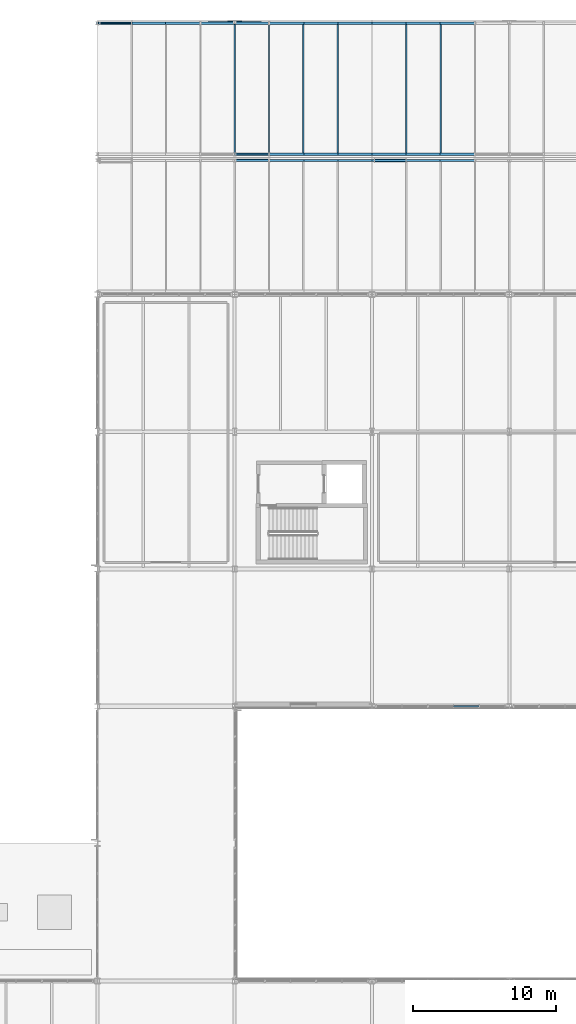
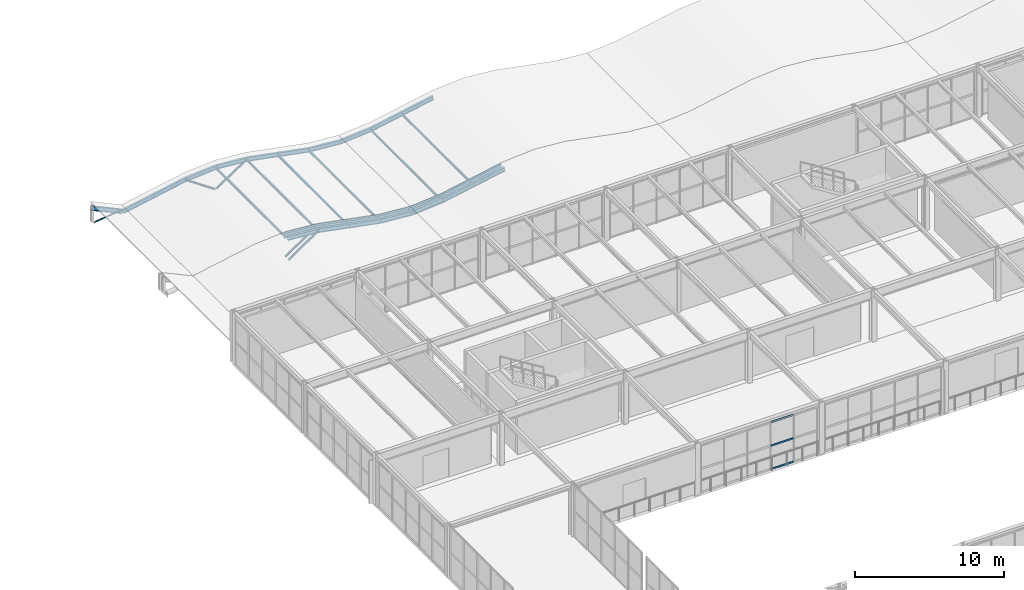
# One storey, part 93 of 170: 25 beams, 15 members, 1 element without a shape of its own.
"""IFC4 building model written with IfcOpenShell, lengths in metres."""

from ifc_helpers import new_model, si_unit, direction, frame, origin, origin_2d, place, context, subcontext, project, spatial, hollow_rectangle, hollow_circle, i_section, extrude, material, material_profile, profile_set, type_object, element, aggregate, save


model = new_model("IFC4")

# Units and contexts
model_context = context("Model", 3, precision=1e-05, world=origin(), true_north=direction((0.0, 1.0)))
body_context = subcontext(model_context, "Body", "Model", "MODEL_VIEW")
ifc_project = project(units=[si_unit("LENGTHUNIT", "METRE"), si_unit("AREAUNIT", "SQUARE_METRE"), si_unit("VOLUMEUNIT", "CUBIC_METRE"), si_unit("PLANEANGLEUNIT", "RADIAN"), si_unit("MASSUNIT", "GRAM", prefix="KILO")], contexts=[model_context])

# Site, building, storey
site_placement = place(None, origin())
site = spatial("IfcSite", under=ifc_project, at=site_placement, CompositionType="ELEMENT")
building_placement = place(site_placement, origin())
building = spatial("IfcBuilding", under=site, at=building_placement, Name="Coralgate Yard Interchange", CompositionType="ELEMENT")
storey_placement = place(building_placement, frame((0.0, 0.0, 6.0)))
storey = spatial("IfcBuildingStorey", under=building, at=storey_placement, Name="L01", CompositionType="ELEMENT", Elevation=6.0)

# Beams
ifc_material_1 = material(Name="Off-white architectural structural steel S355J2", Category="steel")
ifc_material_profile_1 = material_profile(ifc_material_1, i_section(OverallWidth=0.179931640625, OverallDepth=0.39990234375, WebThickness=0.008544921875, FlangeThickness=0.013427734375, FilletRadius=0.02099609375, at=origin_2d()), Name="IPE 400")
ifc_profile_set_1 = profile_set([ifc_material_profile_1], Name="Off-white architectural structural steel S355J2")
beam_type_1 = type_object("IfcBeamType", Name="BM-WR-1", PredefinedType="BEAM", material=ifc_profile_set_1)
beam_1_placement = place(storey_placement, frame((48.0, 105.820068359375, 1.10009765625), z_axis=(0.996866661985, 0.0, -0.079100304817), x_axis=(0.0, 1.0, 0.0)))
element("IfcBeam", 1, at=beam_1_placement, inside=storey, type_object=beam_type_1, Name="Wave-shell steel arch rib R2-W1-S5", PredefinedType="BEAM", context=body_context, shape_type="SweptSolid", body=[
    extrude(i_section(OverallWidth=0.179931640625, OverallDepth=0.39990234375, WebThickness=0.008544921875, FlangeThickness=0.013427734375, FilletRadius=0.02099609375, at=origin_2d()), origin(), (0.0, 0.0, 1.0), 2.407470703125),
])
beam_2_placement = place(storey_placement, frame((50.39990234375, 105.820068359375, 0.90966796875), z_axis=(0.982146552954, 0.0, -0.188117379637), x_axis=(0.0, 1.0, 0.0)))
element("IfcBeam", 2, at=beam_2_placement, inside=storey, type_object=beam_type_1, Name="Wave-shell steel arch rib R2-W1-S6", PredefinedType="BEAM", context=body_context, shape_type="SweptSolid", body=[
    extrude(i_section(OverallWidth=0.179931640625, OverallDepth=0.39990234375, WebThickness=0.008544921875, FlangeThickness=0.013427734375, FilletRadius=0.02099609375, at=origin_2d()), origin(), (0.0, 0.0, 1.0), 2.44384765625),
])
beam_3_placement = place(storey_placement, frame((52.800048828125, 105.820068359375, 0.449951171875), z_axis=(0.98216147419, 0.0, -0.188039460267), x_axis=(0.0, 1.0, 0.0)))
element("IfcBeam", 3, at=beam_3_placement, inside=storey, type_object=beam_type_1, Name="Wave-shell steel arch rib R2-W1-S7", PredefinedType="BEAM", context=body_context, shape_type="SweptSolid", body=[
    extrude(i_section(OverallWidth=0.179931640625, OverallDepth=0.39990234375, WebThickness=0.008544921875, FlangeThickness=0.013427734375, FilletRadius=0.02099609375, at=origin_2d()), origin(), (0.0, 0.0, 1.0), 2.443603515625),
])
beam_4_placement = place(storey_placement, frame((55.199951171875, 105.820068359375, -0.009521484375), z_axis=(0.996867296401, 0.0, -0.079092309144), x_axis=(0.0, 1.0, 0.0)))
element("IfcBeam", 4, at=beam_4_placement, inside=storey, type_object=beam_type_1, Name="Wave-shell steel arch rib R2-W1-S8", PredefinedType="BEAM", context=body_context, shape_type="SweptSolid", body=[
    extrude(i_section(OverallWidth=0.179931640625, OverallDepth=0.39990234375, WebThickness=0.008544921875, FlangeThickness=0.013427734375, FilletRadius=0.02099609375, at=origin_2d()), origin(), (0.0, 0.0, 1.0), 2.40771484375),
])
beam_5_placement = place(storey_placement, frame((57.60009765625, 105.820068359375, -0.199951171875), z_axis=(0.996866661985, 0.0, 0.079100304817), x_axis=(0.0, 1.0, 0.0)))
element("IfcBeam", 5, at=beam_5_placement, inside=storey, type_object=beam_type_1, Name="Wave-shell steel arch rib R2-W2-S1", PredefinedType="BEAM", context=body_context, shape_type="SweptSolid", body=[
    extrude(i_section(OverallWidth=0.179931640625, OverallDepth=0.39990234375, WebThickness=0.008544921875, FlangeThickness=0.013427734375, FilletRadius=0.02099609375, at=origin_2d()), origin(), (0.0, 0.0, 1.0), 2.407470703125),
])
beam_6_placement = place(storey_placement, frame((60.0, 105.820068359375, -0.009521484375), z_axis=(0.98216147419, 0.0, 0.188039460267), x_axis=(0.0, 1.0, 0.0)))
element("IfcBeam", 6, at=beam_6_placement, inside=storey, type_object=beam_type_1, Name="Wave-shell steel arch rib R2-W2-S2", PredefinedType="BEAM", context=body_context, shape_type="SweptSolid", body=[
    extrude(i_section(OverallWidth=0.179931640625, OverallDepth=0.39990234375, WebThickness=0.008544921875, FlangeThickness=0.013427734375, FilletRadius=0.02099609375, at=origin_2d()), origin(), (0.0, 0.0, 1.0), 2.443603515625),
])
beam_7_placement = place(storey_placement, frame((62.39990234375, 105.820068359375, 0.449951171875), z_axis=(0.982146552954, 0.0, 0.188117379637), x_axis=(0.0, 1.0, 0.0)))
element("IfcBeam", 7, at=beam_7_placement, inside=storey, type_object=beam_type_1, Name="Wave-shell steel arch rib R2-W2-S3", PredefinedType="BEAM", context=body_context, shape_type="SweptSolid", body=[
    extrude(i_section(OverallWidth=0.179931640625, OverallDepth=0.39990234375, WebThickness=0.008544921875, FlangeThickness=0.013427734375, FilletRadius=0.02099609375, at=origin_2d()), origin(), (0.0, 0.0, 1.0), 2.44384765625),
])
ifc_material_profile_2 = material_profile(ifc_material_1, i_section(OverallWidth=0.159912109375, OverallDepth=0.330078125, WebThickness=0.007568359375, FlangeThickness=0.011474609375, FilletRadius=0.01806640625, at=origin_2d()), Name="IPE 330")
ifc_profile_set_2 = profile_set([ifc_material_profile_2], Name="Off-white architectural structural steel S355J2")
beam_type_2 = type_object("IfcBeamType", Name="BM-WR-2", PredefinedType="BEAM", material=ifc_profile_set_2)
beam_8_placement = place(storey_placement, frame((48.0, 105.3798828125, 1.135009765625), z_axis=(0.996866661985, 0.0, -0.079100304817), x_axis=(0.0, 1.0, 0.0)))
element("IfcBeam", 8, at=beam_8_placement, inside=storey, type_object=beam_type_2, Name="Wave-shell steel arch rib R1-W1-N5", PredefinedType="BEAM", context=body_context, shape_type="SweptSolid", body=[
    extrude(i_section(OverallWidth=0.159912109375, OverallDepth=0.330078125, WebThickness=0.007568359375, FlangeThickness=0.011474609375, FilletRadius=0.01806640625, at=origin_2d()), origin(), (0.0, 0.0, 1.0), 2.407470703125),
])
beam_9_placement = place(storey_placement, frame((50.39990234375, 105.3798828125, 0.944580078125), z_axis=(0.982165006537, 0.0, -0.188021009287), x_axis=(0.0, 1.0, 0.0)))
element("IfcBeam", 9, at=beam_9_placement, inside=storey, type_object=beam_type_2, Name="Wave-shell steel arch rib R1-W1-N6", PredefinedType="BEAM", context=body_context, shape_type="SweptSolid", body=[
    extrude(i_section(OverallWidth=0.159912109375, OverallDepth=0.330078125, WebThickness=0.007568359375, FlangeThickness=0.011474609375, FilletRadius=0.01806640625, at=origin_2d()), origin(), (0.0, 0.0, 1.0), 2.44384765625),
])
beam_10_placement = place(storey_placement, frame((52.800048828125, 105.3798828125, 0.485107421875), z_axis=(0.98214301705, 0.0, -0.18813583938), x_axis=(0.0, 1.0, 0.0)))
element("IfcBeam", 10, at=beam_10_placement, inside=storey, type_object=beam_type_2, Name="Wave-shell steel arch rib R1-W1-N7", PredefinedType="BEAM", context=body_context, shape_type="SweptSolid", body=[
    extrude(i_section(OverallWidth=0.159912109375, OverallDepth=0.330078125, WebThickness=0.007568359375, FlangeThickness=0.011474609375, FilletRadius=0.01806640625, at=origin_2d()), origin(), (0.0, 0.0, 1.0), 2.443603515625),
])
beam_11_placement = place(storey_placement, frame((55.199951171875, 105.3798828125, 0.025390625), z_axis=(0.996867296401, 0.0, -0.079092309144), x_axis=(0.0, 1.0, 0.0)))
element("IfcBeam", 11, at=beam_11_placement, inside=storey, type_object=beam_type_2, Name="Wave-shell steel arch rib R1-W1-N8", PredefinedType="BEAM", context=body_context, shape_type="SweptSolid", body=[
    extrude(i_section(OverallWidth=0.159912109375, OverallDepth=0.330078125, WebThickness=0.007568359375, FlangeThickness=0.011474609375, FilletRadius=0.01806640625, at=origin_2d()), origin(), (0.0, 0.0, 1.0), 2.40771484375),
])
beam_12_placement = place(storey_placement, frame((57.60009765625, 105.3798828125, -0.1650390625), z_axis=(0.996866661985, 0.0, 0.079100304817), x_axis=(0.0, 1.0, 0.0)))
element("IfcBeam", 12, at=beam_12_placement, inside=storey, type_object=beam_type_2, Name="Wave-shell steel arch rib R1-W2-N1", PredefinedType="BEAM", context=body_context, shape_type="SweptSolid", body=[
    extrude(i_section(OverallWidth=0.159912109375, OverallDepth=0.330078125, WebThickness=0.007568359375, FlangeThickness=0.011474609375, FilletRadius=0.01806640625, at=origin_2d()), origin(), (0.0, 0.0, 1.0), 2.407470703125),
])
beam_13_placement = place(storey_placement, frame((60.0, 105.3798828125, 0.025390625), z_axis=(0.98214301705, 0.0, 0.18813583938), x_axis=(0.0, 1.0, 0.0)))
element("IfcBeam", 13, at=beam_13_placement, inside=storey, type_object=beam_type_2, Name="Wave-shell steel arch rib R1-W2-N2", PredefinedType="BEAM", context=body_context, shape_type="SweptSolid", body=[
    extrude(i_section(OverallWidth=0.159912109375, OverallDepth=0.330078125, WebThickness=0.007568359375, FlangeThickness=0.011474609375, FilletRadius=0.01806640625, at=origin_2d()), origin(), (0.0, 0.0, 1.0), 2.443603515625),
])
beam_14_placement = place(storey_placement, frame((62.39990234375, 105.3798828125, 0.485107421875), z_axis=(0.982165006537, 0.0, 0.188021009287), x_axis=(0.0, 1.0, 0.0)))
element("IfcBeam", 14, at=beam_14_placement, inside=storey, type_object=beam_type_2, Name="Wave-shell steel arch rib R1-W2-N3", PredefinedType="BEAM", context=body_context, shape_type="SweptSolid", body=[
    extrude(i_section(OverallWidth=0.159912109375, OverallDepth=0.330078125, WebThickness=0.007568359375, FlangeThickness=0.011474609375, FilletRadius=0.01806640625, at=origin_2d()), origin(), (0.0, 0.0, 1.0), 2.44384765625),
])
beam_15_placement = place(storey_placement, frame((38.39990234375, 114.97998046875, 1.135009765625), z_axis=(0.907691669013, 0.0, -0.419637741396), x_axis=(0.0, 1.0, 0.0)))
element("IfcBeam", 15, at=beam_15_placement, inside=storey, type_object=beam_type_2, Name="Wave-shell steel arch rib R2-W1-N1", PredefinedType="BEAM", context=body_context, shape_type="SweptSolid", body=[
    extrude(i_section(OverallWidth=0.159912109375, OverallDepth=0.330078125, WebThickness=0.007568359375, FlangeThickness=0.011474609375, FilletRadius=0.01806640625, at=origin_2d()), origin(), (0.0, 0.0, 1.0), 2.644287109375),
])
beam_16_placement = place(storey_placement, frame((40.800048828125, 114.97998046875, 0.025390625), z_axis=(0.98214301705, 0.0, 0.18813583938), x_axis=(0.0, 1.0, 0.0)))
element("IfcBeam", 16, at=beam_16_placement, inside=storey, type_object=beam_type_2, Name="Wave-shell steel arch rib R2-W1-N2", PredefinedType="BEAM", context=body_context, shape_type="SweptSolid", body=[
    extrude(i_section(OverallWidth=0.159912109375, OverallDepth=0.330078125, WebThickness=0.007568359375, FlangeThickness=0.011474609375, FilletRadius=0.01806640625, at=origin_2d()), origin(), (0.0, 0.0, 1.0), 2.443603515625),
])
beam_17_placement = place(storey_placement, frame((43.199951171875, 114.97998046875, 0.485107421875), z_axis=(0.982165006537, 0.0, 0.188021009287), x_axis=(0.0, 1.0, 0.0)))
element("IfcBeam", 17, at=beam_17_placement, inside=storey, type_object=beam_type_2, Name="Wave-shell steel arch rib R2-W1-N3", PredefinedType="BEAM", context=body_context, shape_type="SweptSolid", body=[
    extrude(i_section(OverallWidth=0.159912109375, OverallDepth=0.330078125, WebThickness=0.007568359375, FlangeThickness=0.011474609375, FilletRadius=0.01806640625, at=origin_2d()), origin(), (0.0, 0.0, 1.0), 2.44384765625),
])
for number, where, z_axis, x_axis, name in (
    (18, (45.60009765625, 114.97998046875, 0.944580078125), (0.996866661985, 0.0, 0.079100304817), (0.0, 1.0, 0.0), "Wave-shell steel arch rib R2-W1-N4"),
    (19, (48.0, 114.97998046875, 1.135009765625), (0.996866661985, 0.0, -0.079100304817), (0.0, 1.0, 0.0), "Wave-shell steel arch rib R2-W1-N5"),
):
    element("IfcBeam", number, at=place(storey_placement, frame(where, z_axis=z_axis, x_axis=x_axis)), inside=storey, type_object=beam_type_2, Name=name, PredefinedType="BEAM", context=body_context, shape_type="SweptSolid", body=[
        extrude(i_section(OverallWidth=0.159912109375, OverallDepth=0.330078125, WebThickness=0.007568359375, FlangeThickness=0.011474609375, FilletRadius=0.01806640625, at=origin_2d()), origin(), (0.0, 0.0, 1.0), 2.407470703125),
    ])
beam_18_placement = place(storey_placement, frame((50.39990234375, 114.97998046875, 0.944580078125), z_axis=(0.982165006537, 0.0, -0.188021009287), x_axis=(0.0, 1.0, 0.0)))
element("IfcBeam", 20, at=beam_18_placement, inside=storey, type_object=beam_type_2, Name="Wave-shell steel arch rib R2-W1-N6", PredefinedType="BEAM", context=body_context, shape_type="SweptSolid", body=[
    extrude(i_section(OverallWidth=0.159912109375, OverallDepth=0.330078125, WebThickness=0.007568359375, FlangeThickness=0.011474609375, FilletRadius=0.01806640625, at=origin_2d()), origin(), (0.0, 0.0, 1.0), 2.44384765625),
])
beam_19_placement = place(storey_placement, frame((52.800048828125, 114.97998046875, 0.485107421875), z_axis=(0.98214301705, 0.0, -0.18813583938), x_axis=(0.0, 1.0, 0.0)))
element("IfcBeam", 21, at=beam_19_placement, inside=storey, type_object=beam_type_2, Name="Wave-shell steel arch rib R2-W1-N7", PredefinedType="BEAM", context=body_context, shape_type="SweptSolid", body=[
    extrude(i_section(OverallWidth=0.159912109375, OverallDepth=0.330078125, WebThickness=0.007568359375, FlangeThickness=0.011474609375, FilletRadius=0.01806640625, at=origin_2d()), origin(), (0.0, 0.0, 1.0), 2.443603515625),
])
beam_20_placement = place(storey_placement, frame((55.199951171875, 114.97998046875, 0.025390625), z_axis=(0.996867296401, 0.0, -0.079092309144), x_axis=(0.0, 1.0, 0.0)))
element("IfcBeam", 22, at=beam_20_placement, inside=storey, type_object=beam_type_2, Name="Wave-shell steel arch rib R2-W1-N8", PredefinedType="BEAM", context=body_context, shape_type="SweptSolid", body=[
    extrude(i_section(OverallWidth=0.159912109375, OverallDepth=0.330078125, WebThickness=0.007568359375, FlangeThickness=0.011474609375, FilletRadius=0.01806640625, at=origin_2d()), origin(), (0.0, 0.0, 1.0), 2.40771484375),
])
beam_21_placement = place(storey_placement, frame((57.60009765625, 114.97998046875, -0.1650390625), z_axis=(0.996866661985, 0.0, 0.079100304817), x_axis=(0.0, 1.0, 0.0)))
element("IfcBeam", 23, at=beam_21_placement, inside=storey, type_object=beam_type_2, Name="Wave-shell steel arch rib R2-W2-N1", PredefinedType="BEAM", context=body_context, shape_type="SweptSolid", body=[
    extrude(i_section(OverallWidth=0.159912109375, OverallDepth=0.330078125, WebThickness=0.007568359375, FlangeThickness=0.011474609375, FilletRadius=0.01806640625, at=origin_2d()), origin(), (0.0, 0.0, 1.0), 2.407470703125),
])
beam_22_placement = place(storey_placement, frame((60.0, 114.97998046875, 0.025390625), z_axis=(0.98214301705, 0.0, 0.18813583938), x_axis=(0.0, 1.0, 0.0)))
element("IfcBeam", 24, at=beam_22_placement, inside=storey, type_object=beam_type_2, Name="Wave-shell steel arch rib R2-W2-N2", PredefinedType="BEAM", context=body_context, shape_type="SweptSolid", body=[
    extrude(i_section(OverallWidth=0.159912109375, OverallDepth=0.330078125, WebThickness=0.007568359375, FlangeThickness=0.011474609375, FilletRadius=0.01806640625, at=origin_2d()), origin(), (0.0, 0.0, 1.0), 2.443603515625),
])
beam_23_placement = place(storey_placement, frame((62.39990234375, 114.97998046875, 0.485107421875), z_axis=(0.982165006537, 0.0, 0.188021009287), x_axis=(0.0, 1.0, 0.0)))
element("IfcBeam", 25, at=beam_23_placement, inside=storey, type_object=beam_type_2, Name="Wave-shell steel arch rib R2-W2-N3", PredefinedType="BEAM", context=body_context, shape_type="SweptSolid", body=[
    extrude(i_section(OverallWidth=0.159912109375, OverallDepth=0.330078125, WebThickness=0.007568359375, FlangeThickness=0.011474609375, FilletRadius=0.01806640625, at=origin_2d()), origin(), (0.0, 0.0, 1.0), 2.44384765625),
])

# Members
ifc_material_2 = material(Name="Weather-coated structural steel S355J2", Category="steel")
ifc_material_profile_3 = material_profile(ifc_material_2, hollow_rectangle(XDim=0.199951171875, YDim=0.300048828125, WallThickness=0.012451171875, InnerFilletRadius=0.012451171875, OuterFilletRadius=0.02490234375, at=origin_2d()), Name="RHS 300x200x12.5")
ifc_profile_set_3 = profile_set([ifc_material_profile_3], Name="Weather-coated structural steel S355J2")
member_type_1 = type_object("IfcMemberType", Name="MB-GC-2", PredefinedType="CHORD", material=ifc_profile_set_3)
member_1_placement = place(storey_placement, frame((57.780029296875, 105.3798828125, -0.080078125), z_axis=(0.993088023617, 0.0, 0.117371961508), x_axis=(0.0, 1.0, 0.0)))
element("IfcMember", 26, at=member_1_placement, inside=storey, type_object=member_type_1, Name="Wave-canopy longitudinal tie member 2", PredefinedType="CHORD", context=body_context, shape_type="SweptSolid", body=[
    extrude(hollow_rectangle(XDim=0.199951171875, YDim=0.300048828125, WallThickness=0.012451171875, InnerFilletRadius=0.012451171875, OuterFilletRadius=0.02490234375, at=origin_2d()), origin(), (0.0, 0.0, 1.0), 2.21533203125),
])
ifc_material_3 = material(Name="Yellow-ochre weather-coated structural steel S355J2", Category="steel")
ifc_material_profile_4 = material_profile(ifc_material_3, hollow_circle(Radius=0.084228515625, WallThickness=0.008056640625, at=origin_2d()), Name="CHS 168.3x8")
ifc_profile_set_4 = profile_set([ifc_material_profile_4], Name="Yellow-ochre weather-coated structural steel S355J2")
member_type_2 = type_object("IfcMemberType", Name="MB-HG-2", PredefinedType="STRUT", material=ifc_profile_set_4)
member_2_placement = place(storey_placement, frame((48.06005859375, 105.3798828125, -0.679931640625), z_axis=(0.821432424161, 0.0, 0.570305858761), x_axis=(0.0, 1.0, 0.0)))
element("IfcMember", 27, at=member_2_placement, inside=storey, type_object=member_type_2, Name="Wave-shell inclined V-strut WVBR-R1-W1-N-R", PredefinedType="STRUT", context=body_context, shape_type="SweptSolid", body=[
    extrude(hollow_circle(Radius=0.084228515625, WallThickness=0.008056640625, at=origin_2d()), origin(), (0.0, 0.0, 1.0), 2.848388671875),
])
member_3_placement = place(storey_placement, frame((48.06005859375, 105.820068359375, -0.679931640625), z_axis=(0.827172031576, 0.0, 0.561948778964), x_axis=(0.0, 1.0, 0.0)))
element("IfcMember", 28, at=member_3_placement, inside=storey, type_object=member_type_2, Name="Wave-shell inclined V-strut WVBR-R2-W1-S-R", PredefinedType="STRUT", context=body_context, shape_type="SweptSolid", body=[
    extrude(hollow_circle(Radius=0.084228515625, WallThickness=0.008056640625, at=origin_2d()), origin(), (0.0, 0.0, 1.0), 2.82861328125),
])
for number, where, z_axis, x_axis, name in (
    (29, (47.93994140625, 115.0400390625, -0.679931640625), (-0.821249901259, -0.021079661489, 0.570179136371), (0.025659328394, -0.999670745229, 0.0), "Wave-shell inclined V-strut WVBR-R2-W1-N-L"),
    (30, (48.06005859375, 115.0400390625, -0.679931640625), (0.821249901259, -0.021079661489, 0.570179136371), (0.025659328394, 0.999670745229, 0.0), "Wave-shell inclined V-strut WVBR-R2-W1-N-R"),
):
    element("IfcMember", number, at=place(storey_placement, frame(where, z_axis=z_axis, x_axis=x_axis)), inside=storey, type_object=member_type_2, Name=name, PredefinedType="STRUT", context=body_context, shape_type="SweptSolid", body=[
        extrude(hollow_circle(Radius=0.084228515625, WallThickness=0.008056640625, at=origin_2d()), origin(), (0.0, 0.0, 1.0), 2.84912109375),
    ])
ifc_material_profile_5 = material_profile(ifc_material_1, i_section(OverallWidth=0.091064453125, OverallDepth=0.179931640625, WebThickness=0.00537109375, FlangeThickness=0.008056640625, FilletRadius=0.009033203125, at=origin_2d()), Name="IPE 180")
ifc_profile_set_5 = profile_set([ifc_material_profile_5], Name="Off-white architectural structural steel S355J2")
member_type_3 = type_object("IfcMemberType", Name="MB-PR-2", PredefinedType="PURLIN", material=ifc_profile_set_5)
for number, where, z_axis, x_axis, name in (
    (31, (48.0, 105.800048828125, 1.06005859375), (0.0, 1.0, 0.0), (-1.0, 0.0, 0.0), "Wave-shell purlin R2-W1-5"),
    (32, (50.39990234375, 105.800048828125, 0.86962890625), (0.0, 1.0, 0.0), (-1.0, 0.0, 0.0), "Wave-shell purlin R2-W1-6"),
    (33, (52.800048828125, 105.800048828125, 0.409912109375), (0.0, 1.0, 0.0), (-1.0, 0.0, 0.0), "Wave-shell purlin R2-W1-7"),
    (34, (55.199951171875, 105.800048828125, -0.049560546875), (0.0, 1.0, 0.0), (-1.0, 0.0, 0.0), "Wave-shell purlin R2-W1-8"),
    (35, (60.0, 105.800048828125, -0.049560546875), (0.0, 1.0, 0.0), (-1.0, 0.0, 0.0), "Wave-shell purlin R2-W2-2"),
    (36, (62.39990234375, 105.800048828125, 0.409912109375), (0.0, 1.0, 0.0), (-1.0, 0.0, 0.0), "Wave-shell purlin R2-W2-3"),
):
    element("IfcMember", number, at=place(storey_placement, frame(where, z_axis=z_axis, x_axis=x_axis)), inside=storey, type_object=member_type_3, Name=name, PredefinedType="PURLIN", context=body_context, shape_type="SweptSolid", body=[
        extrude(i_section(OverallWidth=0.091064453125, OverallDepth=0.179931640625, WebThickness=0.00537109375, FlangeThickness=0.008056640625, FilletRadius=0.009033203125, at=origin_2d()), origin(), (0.0, 0.0, 1.0), 9.199951171875),
    ])
ifc_material_profile_6 = material_profile(ifc_material_1, hollow_circle(Radius=0.05712890625, WallThickness=0.00634765625, at=origin_2d()), Name="CHS 114.3x6.3")
ifc_profile_set_6 = profile_set([ifc_material_profile_6], Name="Off-white architectural structural steel S355J2")
member_type_4 = type_object("IfcMemberType", Name="MB-PR-5", PredefinedType="PURLIN", material=ifc_profile_set_6)
member_4_placement = place(storey_placement, frame((38.580078125, 114.97998046875, -0.080078125), z_axis=(0.993088023617, 0.0, 0.117371961508), x_axis=(0.0, 1.0, 0.0)))
element("IfcMember", 37, at=member_4_placement, inside=storey, type_object=member_type_4, Name="Wave-canopy longitudinal tie member 8", PredefinedType="PURLIN", context=body_context, shape_type="SweptSolid", body=[
    extrude(hollow_circle(Radius=0.05712890625, WallThickness=0.00634765625, at=origin_2d()), origin(), (0.0, 0.0, 1.0), 2.21533203125),
])

# Curtain wall, members
ifc_material_4 = material(Name="Anodised coastal aluminium and solar-control low-E glass", Category="aluminium")
curtain_wall_type = type_object("IfcCurtainWallType", Name="CW-CW-L01-A", PredefinedType="NOTDEFINED", material=ifc_material_4)
curtain_wall_placement = place(storey_placement, origin())
curtain_wall = element("IfcCurtainWall", 38, at=curtain_wall_placement, inside=storey, type_object=curtain_wall_type, Name="L01 unitised curtain wall CW-L01-S-06-07", PredefinedType="NOTDEFINED")
ifc_material_5 = material(Name="Anodised coastal aluminium 6063-T6", Category="aluminium")
ifc_material_profile_7 = material_profile(ifc_material_5, hollow_rectangle(XDim=0.06005859375, YDim=0.139892578125, WallThickness=0.00341796875, InnerFilletRadius=0.00341796875, OuterFilletRadius=0.007080078125, at=origin_2d()), Name="ALU 60x140x3.5")
ifc_profile_set_7 = profile_set([ifc_material_profile_7], Name="Anodised coastal aluminium 6063-T6")
member_type_5 = type_object("IfcMemberType", Name="MB-TRN-140", PredefinedType="USERDEFINED", material=ifc_profile_set_7)
member_5_placement = place(storey_placement, frame((65.070068359375, 67.199951171875, 0.034912109375), z_axis=(-1.0, 0.0, 0.0), x_axis=(0.0, -1.0, 0.0)))
member_5 = element("IfcMember", 39, at=member_5_placement, type_object=member_type_5, Name="CW-L01-S-06-07 horizontal transom 2-1", ObjectType="TRANSOM", PredefinedType="USERDEFINED", context=body_context, shape_type="SweptSolid", body=[
    extrude(hollow_rectangle(XDim=0.06005859375, YDim=0.139892578125, WallThickness=0.00341796875, InnerFilletRadius=0.00341796875, OuterFilletRadius=0.007080078125, at=origin_2d()), origin(), (0.0, 0.0, 1.0), 1.739990234375),
])
member_6_placement = place(storey_placement, frame((65.070068359375, 67.199951171875, 1.949951171875), z_axis=(-1.0, 0.0, 0.0), x_axis=(0.0, -1.0, 0.0)))
member_6 = element("IfcMember", 40, at=member_6_placement, type_object=member_type_5, Name="CW-L01-S-06-07 horizontal transom 2-2", ObjectType="TRANSOM", PredefinedType="USERDEFINED", context=body_context, shape_type="SweptSolid", body=[
    extrude(hollow_rectangle(XDim=0.06005859375, YDim=0.139892578125, WallThickness=0.00341796875, InnerFilletRadius=0.00341796875, OuterFilletRadius=0.007080078125, at=origin_2d()), origin(), (0.0, 0.0, 1.0), 1.739990234375),
])
member_7_placement = place(storey_placement, frame((65.070068359375, 67.199951171875, 3.864990234375), z_axis=(-1.0, 0.0, 0.0), x_axis=(0.0, -1.0, 0.0)))
member_7 = element("IfcMember", 41, at=member_7_placement, type_object=member_type_5, Name="CW-L01-S-06-07 horizontal transom 2-3", ObjectType="TRANSOM", PredefinedType="USERDEFINED", context=body_context, shape_type="SweptSolid", body=[
    extrude(hollow_rectangle(XDim=0.06005859375, YDim=0.139892578125, WallThickness=0.00341796875, InnerFilletRadius=0.00341796875, OuterFilletRadius=0.007080078125, at=origin_2d()), origin(), (0.0, 0.0, 1.0), 1.739990234375),
])
aggregate(curtain_wall, [member_5, member_6, member_7])

save(model, "model.ifc")
